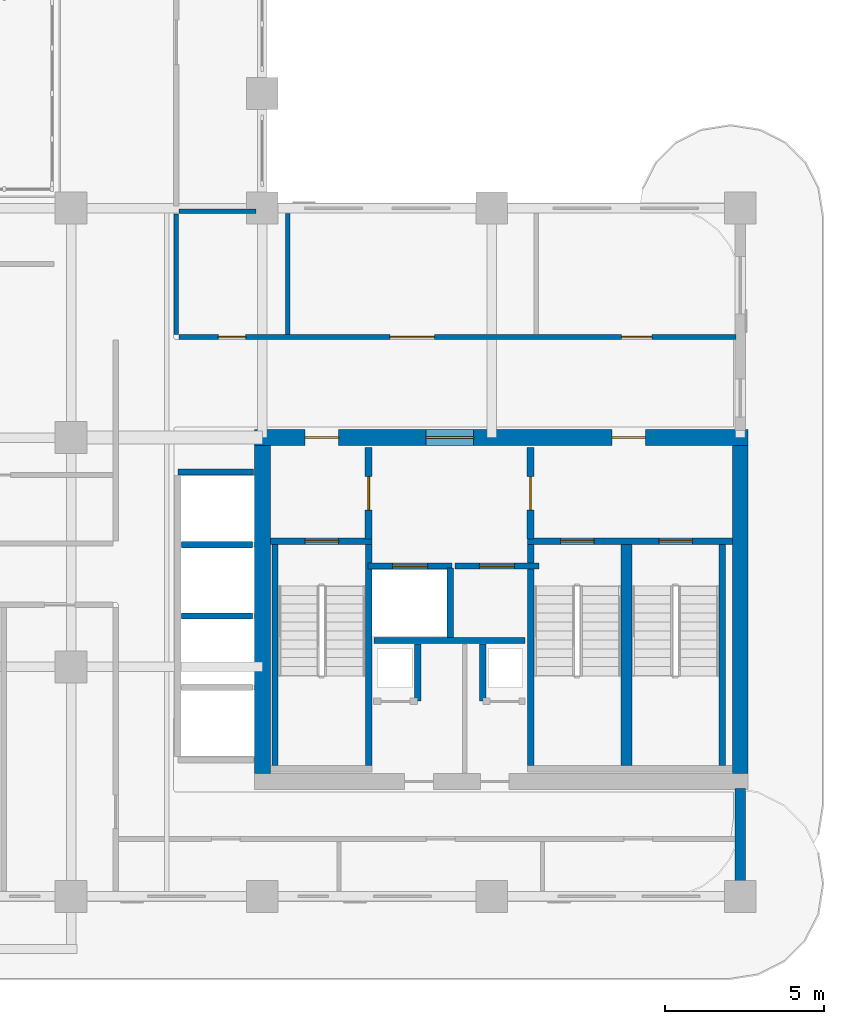
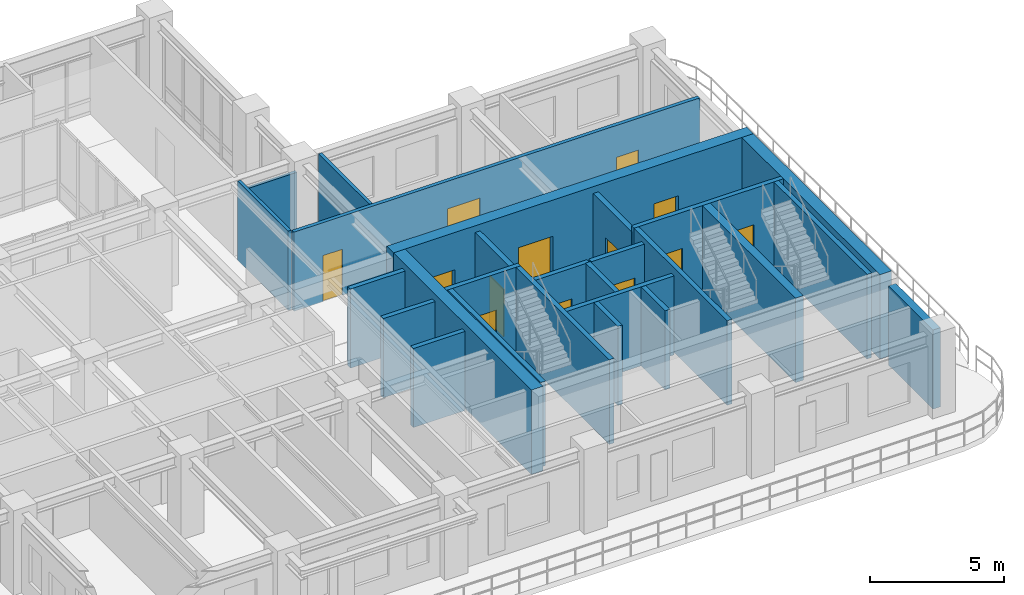
# One storey, part 13 of 20: 26 walls, 13 doors, 13 openings.
"""IFC4 building model written with IfcOpenShell, lengths in metres."""

from ifc_helpers import new_model, si_unit, derived_unit, direction, frame, frame_2d, origin, place, context, subcontext, project, spatial, rectangle, extrude, source, transform, mapped, material, layer, layer_set, type_object, type_shapes, element, fill, save


model = new_model("IFC4")

# Units and contexts
model_context = context("Model", 3, precision=1e-05, world=origin(), true_north=direction((0.0, 1.0)))
body_context = subcontext(model_context, "Body", "Model", "MODEL_VIEW")
ifc_project = project(units=[si_unit("LENGTHUNIT", "METRE"), si_unit("AREAUNIT", "SQUARE_METRE"), si_unit("VOLUMEUNIT", "CUBIC_METRE"), si_unit("PLANEANGLEUNIT", "RADIAN"), si_unit("MASSUNIT", "GRAM", prefix="KILO"), si_unit("THERMODYNAMICTEMPERATUREUNIT", "KELVIN"), si_unit("POWERUNIT", "WATT"), derived_unit("THERMALTRANSMITTANCEUNIT", [(si_unit("POWERUNIT", "WATT"), 1), (si_unit("AREAUNIT", "SQUARE_METRE"), -1), (si_unit("THERMODYNAMICTEMPERATUREUNIT", "KELVIN"), -1)])], contexts=[model_context])

# Site, building, storey
site_placement = place(None, origin())
site = spatial("IfcSite", under=ifc_project, at=site_placement, CompositionType="ELEMENT")
building_placement = place(site_placement, origin())
building = spatial("IfcBuilding", under=site, at=building_placement, Name="Zahravan Archway Hotel and Residences", CompositionType="ELEMENT")
storey_placement = place(building_placement, frame((0.0, 0.0, 161.85009765625)))
storey = spatial("IfcBuildingStorey", under=building, at=storey_placement, Name="L40", CompositionType="ELEMENT", Elevation=161.85009765625)

# Wall, openings, doors
ifc_material_1 = material(Name="Concrete C60/75", Category="concrete")
ifc_layer_1 = layer(ifc_material_1, 0.5, Name="Concrete C60/75", Category="concrete")
ifc_layer_set_1 = layer_set([ifc_layer_1], Name="Concrete C60/75")
wall_type_1 = type_object("IfcWallType", Name="CW-CORE-500", PredefinedType="SHEAR", material=ifc_layer_set_1)
wall_1_placement = place(storey_placement, frame((34.550048828125, 14.39990234375, 0.0), z_axis=(0.0, 0.0, 1.0), x_axis=(1.0, 0.0, 0.0)))
wall_1 = element("IfcWall", 1, at=wall_1_placement, inside=storey, type_object=wall_type_1, Name="L40 Core A Shear N Wall 500 mm", PredefinedType="SHEAR", context=body_context, shape_type="SweptSolid", body=[
    extrude(rectangle(XDim=15.5, YDim=0.5, at=frame_2d((7.75, 0.0))), origin(), (0.0, 0.0, 1.0), 3.849853515625),
])
opening_1_placement = place(wall_1_placement, frame((5.3798828125, 0.0, 0.0)))
opening_1 = element("IfcOpeningElement", 2, at=opening_1_placement, cuts=wall_1, Name="Opening FD-L1", PredefinedType="OPENING", context=body_context, shape_type="SweptSolid", body=[
    extrude(rectangle(XDim=1.5, YDim=2.199951171875, at=frame_2d((0.75, 1.10009765625))), frame((0.0, 0.260009765625, 0.0), z_axis=(0.0, -1.0, 0.0), x_axis=(1.0, 0.0, 0.0)), (0.0, 0.0, 1.0), 0.52001953125),
])
opening_2_placement = place(wall_1_placement, frame((1.594970703125, 0.0, 0.0)))
opening_2 = element("IfcOpeningElement", 3, at=opening_2_placement, cuts=wall_1, Name="Opening FD-L2", PredefinedType="OPENING", context=body_context, shape_type="SweptSolid", body=[
    extrude(rectangle(XDim=1.050048828125, YDim=2.14990234375, at=frame_2d((0.52490234375, 1.074951171875))), frame((0.0, 0.260009765625, 0.0), z_axis=(0.0, -1.0, 0.0), x_axis=(1.0, 0.0, 0.0)), (0.0, 0.0, 1.0), 0.52001953125),
])
opening_3_placement = place(wall_1_placement, frame((11.22509765625, 0.0, 0.0)))
opening_3 = element("IfcOpeningElement", 4, at=opening_3_placement, cuts=wall_1, Name="Opening FD-L2", PredefinedType="OPENING", context=body_context, shape_type="SweptSolid", body=[
    extrude(rectangle(XDim=1.050048828125, YDim=2.14990234375, at=frame_2d((0.52490234375, 1.074951171875))), frame((0.0, 0.260009765625, 0.0), z_axis=(0.0, -1.0, 0.0), x_axis=(1.0, 0.0, 0.0)), (0.0, 0.0, 1.0), 0.52001953125),
])
ifc_material_2 = material(Name="Fire-Rated Painted Steel", Category="steel")
door_type_1 = type_object("IfcDoorType", Name="FD-LOBBY-1100", OperationType="NOTDEFINED", PredefinedType="DOOR", material=ifc_material_2)
shared_shape_1 = source(origin(), body_context, "Body", "SweptSolid", [
    extrude(rectangle(XDim=1.050048828125, YDim=2.14990234375, at=frame_2d((0.52490234375, 1.074951171875))), frame((0.0, 0.02490234375, 0.0), z_axis=(0.0, -1.0, 0.0), x_axis=(1.0, 0.0, 0.0)), (0.0, 0.0, 1.0), 0.050048828125),
])
type_shapes(door_type_1, [shared_shape_1])
door_1_placement = place(opening_2_placement, origin())
door_1 = element("IfcDoor", 5, at=door_1_placement, inside=storey, type_object=door_type_1, Name="L40 Core A West Stair Lobby Door", OperationType="SINGLE_SWING_LEFT", OverallHeight=2.14990234375, OverallWidth=1.050048828125, PredefinedType="DOOR", context=body_context, shape_type="MappedRepresentation", body=[
    mapped(shared_shape_1, transform((0.0, 0.0, 0.0), scale=1.0)),
])
fill(opening_2, door_1)
door_2_placement = place(opening_3_placement, origin())
door_2 = element("IfcDoor", 6, at=door_2_placement, inside=storey, type_object=door_type_1, Name="L40 Core A East Stair Lobby Door", OperationType="SINGLE_SWING_RIGHT", OverallHeight=2.14990234375, OverallWidth=1.050048828125, PredefinedType="DOOR", context=body_context, shape_type="MappedRepresentation", body=[
    mapped(shared_shape_1, transform((0.0, 0.0, 0.0), scale=1.0)),
])
fill(opening_3, door_2)
door_type_2 = type_object("IfcDoorType", Name="FD-LOBBY-1500", OperationType="DOUBLE_DOOR_SINGLE_SWING", PredefinedType="DOOR", material=ifc_material_2)
shared_shape_2 = source(origin(), body_context, "Body", "SweptSolid", [
    extrude(rectangle(XDim=1.5, YDim=2.199951171875, at=frame_2d((0.75, 1.10009765625))), frame((0.0, 0.02490234375, 0.0), z_axis=(0.0, -1.0, 0.0), x_axis=(1.0, 0.0, 0.0)), (0.0, 0.0, 1.0), 0.050048828125),
])
type_shapes(door_type_2, [shared_shape_2])
door_3_placement = place(opening_1_placement, origin())
door_3 = element("IfcDoor", 7, at=door_3_placement, inside=storey, type_object=door_type_2, Name="L40 Core A FSAE Lobby Main Door", OperationType="DOUBLE_DOOR_SINGLE_SWING", OverallHeight=2.199951171875, OverallWidth=1.5, PredefinedType="DOOR", context=body_context, shape_type="MappedRepresentation", body=[
    mapped(shared_shape_2, transform((0.0, 0.0, 0.0), scale=1.0)),
])
fill(opening_1, door_3)

# Walls
for number, where, z_axis, x_axis, name in (
    (8, (34.800048828125, 3.85009765625, 0.0), (0.0, 0.0, 1.0), (0.0, 1.0, 0.0), "L40 Core A Shear W Wall 500 mm"),
    (9, (49.800048828125, 3.85009765625, 0.0), (0.0, 0.0, 1.0), (0.0, 1.0, 0.0), "L40 Core A Shear E Wall 500 mm"),
):
    element("IfcWall", number, at=place(storey_placement, frame(where, z_axis=z_axis, x_axis=x_axis)), inside=storey, type_object=wall_type_1, Name=name, PredefinedType="SHEAR", context=body_context, shape_type="SweptSolid", body=[
        extrude(rectangle(XDim=10.2998046875, YDim=0.5, at=frame_2d((5.14990234375, 0.0))), origin(), (0.0, 0.0, 1.0), 3.849853515625),
    ])
ifc_material_3 = material(Name="Agra Buff Sandstone & Insulated Backup", Category="masonry")
ifc_layer_2 = layer(ifc_material_3, 0.320068359375, Name="Agra Buff Sandstone & Insulated Backup", Category="masonry")
ifc_layer_set_2 = layer_set([ifc_layer_2], Name="Agra Buff Sandstone & Insulated Backup")
wall_type_2 = type_object("IfcWallType", Name="EW-SAND-320", PredefinedType="SOLIDWALL", material=ifc_layer_set_2)
wall_2_placement = place(storey_placement, frame((49.800048828125, 0.050048828125, 0.0), z_axis=(0.0, 0.0, 1.0), x_axis=(0.0, 1.0, 0.0)))
element("IfcWall", 10, at=wall_2_placement, inside=storey, type_object=wall_type_2, Name="L40 Exterior Sandstone Wall WA-ES", PredefinedType="SOLIDWALL", context=body_context, shape_type="SweptSolid", body=[
    extrude(rectangle(XDim=3.329833984375, YDim=0.320068359375, at=frame_2d((1.6650390625, 0.0))), origin(), (0.0, 0.0, 1.0), 3.599853515625),
])

# Wall, opening, door
ifc_material_4 = material(Name="Fire-Rated Gypsum & Concrete Block", Category="concrete")
ifc_layer_3 = layer(ifc_material_4, 0.219970703125, Name="Fire-Rated Gypsum & Concrete Block", Category="concrete")
ifc_layer_set_3 = layer_set([ifc_layer_3], Name="Fire-Rated Gypsum & Concrete Block")
wall_type_3 = type_object("IfcWallType", Name="PW-COMP-220", PredefinedType="PARTITIONING", material=ifc_layer_set_3)
wall_3_placement = place(storey_placement, frame((38.139892578125, 11.219970703125, 0.0), z_axis=(0.0, 0.0, 1.0), x_axis=(0.0, 1.0, 0.0)))
wall_3 = element("IfcWall", 11, at=wall_3_placement, inside=storey, type_object=wall_type_3, Name="L40 Partition CA-LOBW", PredefinedType="PARTITIONING", context=body_context, shape_type="SweptSolid", body=[
    extrude(rectangle(XDim=2.860107421875, YDim=0.219970703125, at=frame_2d((1.43017578125, 0.0))), origin(), (0.0, 0.0, 1.0), 3.599853515625),
])
opening_4_placement = place(wall_3_placement, frame((0.905029296875, 0.0, 0.0)))
opening_4 = element("IfcOpeningElement", 12, at=opening_4_placement, cuts=wall_3, Name="Opening FD-L2", PredefinedType="OPENING", context=body_context, shape_type="SweptSolid", body=[
    extrude(rectangle(XDim=1.050048828125, YDim=2.14990234375, at=frame_2d((0.52490234375, 1.074951171875))), frame((0.0, 0.1201171875, 0.0), z_axis=(0.0, -1.0, 0.0), x_axis=(1.0, 0.0, 0.0)), (0.0, 0.0, 1.0), 0.239990234375),
])
door_4_placement = place(opening_4_placement, origin())
door_4 = element("IfcDoor", 13, at=door_4_placement, inside=storey, type_object=door_type_1, Name="L40 Core A West Stair to FSAE Lobby Door", OperationType="SINGLE_SWING_LEFT", OverallHeight=2.14990234375, OverallWidth=1.050048828125, PredefinedType="DOOR", context=body_context, shape_type="MappedRepresentation", body=[
    mapped(shared_shape_1, transform((0.0, 0.0, 0.0), scale=1.0)),
])
fill(opening_4, door_4)

wall_4_placement = place(storey_placement, frame((43.219970703125, 11.219970703125, 0.0), z_axis=(0.0, 0.0, 1.0), x_axis=(0.0, 1.0, 0.0)))
wall_4 = element("IfcWall", 14, at=wall_4_placement, inside=storey, type_object=wall_type_3, Name="L40 Partition CA-LOBE", PredefinedType="PARTITIONING", context=body_context, shape_type="SweptSolid", body=[
    extrude(rectangle(XDim=2.860107421875, YDim=0.219970703125, at=frame_2d((1.43017578125, 0.0))), origin(), (0.0, 0.0, 1.0), 3.599853515625),
])
opening_5_placement = place(wall_4_placement, frame((0.905029296875, 0.0, 0.0)))
opening_5 = element("IfcOpeningElement", 15, at=opening_5_placement, cuts=wall_4, Name="Opening FD-L2", PredefinedType="OPENING", context=body_context, shape_type="SweptSolid", body=[
    extrude(rectangle(XDim=1.050048828125, YDim=2.14990234375, at=frame_2d((0.52490234375, 1.074951171875))), frame((0.0, 0.1201171875, 0.0), z_axis=(0.0, -1.0, 0.0), x_axis=(1.0, 0.0, 0.0)), (0.0, 0.0, 1.0), 0.239990234375),
])
door_5_placement = place(opening_5_placement, origin())
door_5 = element("IfcDoor", 16, at=door_5_placement, inside=storey, type_object=door_type_1, Name="L40 Core A East Stair to FSAE Lobby Door", OperationType="SINGLE_SWING_RIGHT", OverallHeight=2.14990234375, OverallWidth=1.050048828125, PredefinedType="DOOR", context=body_context, shape_type="MappedRepresentation", body=[
    mapped(shared_shape_1, transform((0.0, 0.0, 0.0), scale=1.0)),
])
fill(opening_5, door_5)

# Wall, openings, doors
ifc_layer_4 = layer(ifc_material_4, 0.159912109375, Name="Fire-Rated Gypsum & Concrete Block", Category="concrete")
ifc_layer_set_4 = layer_set([ifc_layer_4], Name="Fire-Rated Gypsum & Concrete Block")
wall_type_4 = type_object("IfcWallType", Name="PW-CORR-160", PredefinedType="PARTITIONING", material=ifc_layer_set_4)
wall_5_placement = place(storey_placement, frame((32.18994140625, 17.550048828125, 0.0), z_axis=(0.0, 0.0, 1.0), x_axis=(1.0, 0.0, 0.0)))
wall_5 = element("IfcWall", 17, at=wall_5_placement, inside=storey, type_object=wall_type_4, Name="L40 Partition WA-FN", PredefinedType="PARTITIONING", context=body_context, shape_type="SweptSolid", body=[
    extrude(rectangle(XDim=17.469970703125, YDim=0.159912109375, at=frame_2d((8.73486328125, 0.0))), origin(), (0.0, 0.0, 1.0), 3.599853515625),
])
opening_6_placement = place(wall_5_placement, frame((1.235107421875, 0.0, 0.0)))
opening_6 = element("IfcOpeningElement", 18, at=opening_6_placement, cuts=wall_5, Name="Opening D-B1", PredefinedType="OPENING", context=body_context, shape_type="SweptSolid", body=[
    extrude(rectangle(XDim=0.85009765625, YDim=2.10009765625, at=frame_2d((0.425048828125, 1.050048828125))), frame((0.0, 0.08984375, 0.0), z_axis=(0.0, -1.0, 0.0), x_axis=(1.0, 0.0, 0.0)), (0.0, 0.0, 1.0), 0.179931640625),
])
opening_7_placement = place(wall_5_placement, frame((6.610107421875, 0.0, 0.0)))
opening_7 = element("IfcOpeningElement", 19, at=opening_7_placement, cuts=wall_5, Name="Opening D-P1", PredefinedType="OPENING", context=body_context, shape_type="SweptSolid", body=[
    extrude(rectangle(XDim=1.39990234375, YDim=2.35009765625, at=frame_2d((0.699951171875, 1.175048828125))), frame((0.0, 0.08984375, 0.0), z_axis=(0.0, -1.0, 0.0), x_axis=(1.0, 0.0, 0.0)), (0.0, 0.0, 1.0), 0.179931640625),
])
opening_8_placement = place(wall_5_placement, frame((13.885009765625, 0.0, 0.0)))
opening_8 = element("IfcOpeningElement", 20, at=opening_8_placement, cuts=wall_5, Name="Opening D-I1", PredefinedType="OPENING", context=body_context, shape_type="SweptSolid", body=[
    extrude(rectangle(XDim=0.949951171875, YDim=2.14990234375, at=frame_2d((0.47509765625, 1.074951171875))), frame((0.0, 0.08984375, 0.0), z_axis=(0.0, -1.0, 0.0), x_axis=(1.0, 0.0, 0.0)), (0.0, 0.0, 1.0), 0.179931640625),
])
ifc_material_5 = material(Name="Hardwood Veneer Timber", Category="wood")
door_type_3 = type_object("IfcDoorType", Name="ID-BATH-850", OperationType="NOTDEFINED", PredefinedType="DOOR", material=ifc_material_5)
shared_shape_3 = source(origin(), body_context, "Body", "SweptSolid", [
    extrude(rectangle(XDim=0.85009765625, YDim=2.10009765625, at=frame_2d((0.425048828125, 1.050048828125))), frame((0.0, 0.02490234375, 0.0), z_axis=(0.0, -1.0, 0.0), x_axis=(1.0, 0.0, 0.0)), (0.0, 0.0, 1.0), 0.050048828125),
])
type_shapes(door_type_3, [shared_shape_3])
door_6_placement = place(opening_6_placement, origin())
door_6 = element("IfcDoor", 21, at=door_6_placement, inside=storey, type_object=door_type_3, Name="L40 Accessible WC Door", OperationType="SINGLE_SWING_RIGHT", OverallHeight=2.10009765625, OverallWidth=0.85009765625, PredefinedType="DOOR", context=body_context, shape_type="MappedRepresentation", body=[
    mapped(shared_shape_3, transform((0.0, 0.0, 0.0), scale=1.0)),
])
fill(opening_6, door_6)
ifc_material_6 = material(Name="Bronze-Anodized Glazed Aluminium", Category="aluminium")
door_type_4 = type_object("IfcDoorType", Name="ID-PUBLIC-1400", OperationType="DOUBLE_DOOR_SINGLE_SWING", PredefinedType="DOOR", material=ifc_material_6)
shared_shape_4 = source(origin(), body_context, "Body", "SweptSolid", [
    extrude(rectangle(XDim=1.39990234375, YDim=2.35009765625, at=frame_2d((0.699951171875, 1.175048828125))), frame((0.0, 0.02490234375, 0.0), z_axis=(0.0, -1.0, 0.0), x_axis=(1.0, 0.0, 0.0)), (0.0, 0.0, 1.0), 0.050048828125),
])
type_shapes(door_type_4, [shared_shape_4])
door_7_placement = place(opening_7_placement, origin())
door_7 = element("IfcDoor", 22, at=door_7_placement, inside=storey, type_object=door_type_4, Name="L40 Private Dining Door", OperationType="DOUBLE_DOOR_SINGLE_SWING", OverallHeight=2.35009765625, OverallWidth=1.39990234375, PredefinedType="DOOR", context=body_context, shape_type="MappedRepresentation", body=[
    mapped(shared_shape_4, transform((0.0, 0.0, 0.0), scale=1.0)),
])
fill(opening_7, door_7)
door_type_5 = type_object("IfcDoorType", Name="ID-INT-950", OperationType="NOTDEFINED", PredefinedType="DOOR", material=ifc_material_5)
shared_shape_5 = source(origin(), body_context, "Body", "SweptSolid", [
    extrude(rectangle(XDim=0.949951171875, YDim=2.14990234375, at=frame_2d((0.47509765625, 1.074951171875))), frame((0.0, 0.02490234375, 0.0), z_axis=(0.0, -1.0, 0.0), x_axis=(1.0, 0.0, 0.0)), (0.0, 0.0, 1.0), 0.050048828125),
])
type_shapes(door_type_5, [shared_shape_5])
door_8_placement = place(opening_8_placement, origin())
door_8 = element("IfcDoor", 23, at=door_8_placement, inside=storey, type_object=door_type_5, Name="L40 Quiet Musalla Door", OperationType="SINGLE_SWING_LEFT", OverallHeight=2.14990234375, OverallWidth=0.949951171875, PredefinedType="DOOR", context=body_context, shape_type="MappedRepresentation", body=[
    mapped(shared_shape_5, transform((0.0, 0.0, 0.0), scale=1.0)),
])
fill(opening_8, door_8)

# Walls
ifc_layer_5 = layer(ifc_material_4, 0.199951171875, Name="Fire-Rated Gypsum & Concrete Block", Category="concrete")
ifc_layer_set_5 = layer_set([ifc_layer_5], Name="Fire-Rated Gypsum & Concrete Block")
wall_type_5 = type_object("IfcWallType", Name="PW-SHAFT-200", PredefinedType="PARTITIONING", material=ifc_layer_set_5)
wall_6_placement = place(storey_placement, frame((38.300048828125, 8.030029296875, 0.0), z_axis=(0.0, 0.0, 1.0), x_axis=(1.0, 0.0, 0.0)))
element("IfcWall", 24, at=wall_6_placement, inside=storey, type_object=wall_type_5, Name="L40 Partition CA-FLS", PredefinedType="PARTITIONING", context=body_context, shape_type="SweptSolid", body=[
    extrude(rectangle(XDim=4.739990234375, YDim=0.199951171875, at=frame_2d((2.3701171875, 0.0))), origin(), (0.0, 0.0, 1.0), 3.599853515625),
])
wall_7_placement = place(storey_placement, frame((40.699951171875, 8.1201171875, 0.0), z_axis=(0.0, 0.0, 1.0), x_axis=(0.0, 1.0, 0.0)))
element("IfcWall", 25, at=wall_7_placement, inside=storey, type_object=wall_type_5, Name="L40 Partition CA-FLM", PredefinedType="PARTITIONING", context=body_context, shape_type="SweptSolid", body=[
    extrude(rectangle(XDim=2.179931640625, YDim=0.199951171875, at=frame_2d((1.08984375, 0.0))), origin(), (0.0, 0.0, 1.0), 3.599853515625),
])
for number, where, z_axis, x_axis, name in (
    (26, (39.679931640625, 6.1298828125, 0.0), (0.0, 0.0, 1.0), (0.0, 1.0, 0.0), "L40 Partition CA-SMKE"),
    (27, (41.719970703125, 6.1298828125, 0.0), (0.0, 0.0, 1.0), (0.0, 1.0, 0.0), "L40 Partition CA-MEPW"),
):
    element("IfcWall", number, at=place(storey_placement, frame(where, z_axis=z_axis, x_axis=x_axis)), inside=storey, type_object=wall_type_5, Name=name, PredefinedType="PARTITIONING", context=body_context, shape_type="SweptSolid", body=[
        extrude(rectangle(XDim=1.7900390625, YDim=0.199951171875, at=frame_2d((0.89501953125, 0.0))), origin(), (0.0, 0.0, 1.0), 3.599853515625),
    ])
wall_8_placement = place(storey_placement, frame((32.159912109375, 13.320068359375, 0.0), z_axis=(0.0, 0.0, 1.0), x_axis=(1.0, 0.0, 0.0)))
element("IfcWall", 28, at=wall_8_placement, inside=storey, type_object=wall_type_5, Name="L40 Partition B3-N", PredefinedType="PARTITIONING", context=body_context, shape_type="SweptSolid", body=[
    extrude(rectangle(XDim=2.360107421875, YDim=0.199951171875, at=frame_2d((1.18017578125, 0.0))), origin(), (0.0, 0.0, 1.0), 3.599853515625),
])
for number, where, z_axis, x_axis, name in (
    (29, (32.260009765625, 8.800048828125, 0.0), (0.0, 0.0, 1.0), (1.0, 0.0, 0.0), "L40 Partition B3-D"),
    (30, (32.260009765625, 11.0400390625, 0.0), (0.0, 0.0, 1.0), (1.0, 0.0, 0.0), "L40 Partition B3-D"),
):
    element("IfcWall", number, at=place(storey_placement, frame(where, z_axis=z_axis, x_axis=x_axis)), inside=storey, type_object=wall_type_5, Name=name, PredefinedType="PARTITIONING", context=body_context, shape_type="SweptSolid", body=[
        extrude(rectangle(XDim=2.22998046875, YDim=0.199951171875, at=frame_2d((1.114990234375, 0.0))), origin(), (0.0, 0.0, 1.0), 3.599853515625),
    ])

# Wall, opening, door
wall_9_placement = place(storey_placement, frame((38.1201171875, 10.3701171875, 0.0), z_axis=(0.0, 0.0, 1.0), x_axis=(1.0, 0.0, 0.0)))
wall_9 = element("IfcWall", 31, at=wall_9_placement, inside=storey, type_object=wall_type_5, Name="L40 Lift FL-1 Front Wall", PredefinedType="PARTITIONING", context=body_context, shape_type="SweptSolid", body=[
    extrude(rectangle(XDim=2.639892578125, YDim=0.199951171875, at=frame_2d((1.31982421875, 0.0))), origin(), (0.0, 0.0, 1.0), 3.599853515625),
])
opening_9_placement = place(wall_9_placement, frame((0.77001953125, 0.0, 0.0)))
opening_9 = element("IfcOpeningElement", 32, at=opening_9_placement, cuts=wall_9, Name="Opening LD", PredefinedType="OPENING", context=body_context, shape_type="SweptSolid", body=[
    extrude(rectangle(XDim=1.10009765625, YDim=2.199951171875, at=frame_2d((0.550048828125, 1.10009765625))), frame((0.0, 0.10986328125, 0.0), z_axis=(0.0, -1.0, 0.0), x_axis=(1.0, 0.0, 0.0)), (0.0, 0.0, 1.0), 0.219970703125),
])
ifc_material_7 = material(Name="Brushed Stainless Steel", Category="steel")
door_type_6 = type_object("IfcDoorType", Name="DR-LIFT-LD", OperationType="SLIDING_TO_LEFT", PredefinedType="DOOR", material=ifc_material_7)
shared_shape_6 = source(origin(), body_context, "Body", "SweptSolid", [
    extrude(rectangle(XDim=1.10009765625, YDim=2.199951171875, at=frame_2d((0.550048828125, 1.10009765625))), frame((0.0, 0.02490234375, 0.0), z_axis=(0.0, -1.0, 0.0), x_axis=(1.0, 0.0, 0.0)), (0.0, 0.0, 1.0), 0.050048828125),
])
type_shapes(door_type_6, [shared_shape_6])
door_9_placement = place(opening_9_placement, origin())
door_9 = element("IfcDoor", 33, at=door_9_placement, inside=storey, type_object=door_type_6, Name="L40 Lift FL-1 Sliding Landing Door", OperationType="SLIDING_TO_LEFT", OverallHeight=2.199951171875, OverallWidth=1.10009765625, PredefinedType="DOOR", context=body_context, shape_type="MappedRepresentation", body=[
    mapped(shared_shape_6, transform((0.0, 0.0, 0.0), scale=1.0)),
])
fill(opening_9, door_9)

wall_10_placement = place(storey_placement, frame((40.840087890625, 10.3701171875, 0.0), z_axis=(0.0, 0.0, 1.0), x_axis=(1.0, 0.0, 0.0)))
wall_10 = element("IfcWall", 34, at=wall_10_placement, inside=storey, type_object=wall_type_5, Name="L40 Lift FL-2 Front Wall", PredefinedType="PARTITIONING", context=body_context, shape_type="SweptSolid", body=[
    extrude(rectangle(XDim=2.639892578125, YDim=0.199951171875, at=frame_2d((1.31982421875, 0.0))), origin(), (0.0, 0.0, 1.0), 3.599853515625),
])
opening_10_placement = place(wall_10_placement, frame((0.77001953125, 0.0, 0.0)))
opening_10 = element("IfcOpeningElement", 35, at=opening_10_placement, cuts=wall_10, Name="Opening LD", PredefinedType="OPENING", context=body_context, shape_type="SweptSolid", body=[
    extrude(rectangle(XDim=1.10009765625, YDim=2.199951171875, at=frame_2d((0.550048828125, 1.10009765625))), frame((0.0, 0.10986328125, 0.0), z_axis=(0.0, -1.0, 0.0), x_axis=(1.0, 0.0, 0.0)), (0.0, 0.0, 1.0), 0.219970703125),
])
door_10_placement = place(opening_10_placement, origin())
door_10 = element("IfcDoor", 36, at=door_10_placement, inside=storey, type_object=door_type_6, Name="L40 Lift FL-2 Sliding Landing Door", OperationType="SLIDING_TO_LEFT", OverallHeight=2.199951171875, OverallWidth=1.10009765625, PredefinedType="DOOR", context=body_context, shape_type="MappedRepresentation", body=[
    mapped(shared_shape_6, transform((0.0, 0.0, 0.0), scale=1.0)),
])
fill(opening_10, door_10)

# Walls
ifc_material_8 = material(Name="Moisture-Resistant Blockwork", Category="masonry")
ifc_layer_6 = layer(ifc_material_8, 0.139892578125, Name="Moisture-Resistant Blockwork", Category="masonry")
ifc_layer_set_6 = layer_set([ifc_layer_6], Name="Moisture-Resistant Blockwork")
wall_type_6 = type_object("IfcWallType", Name="PW-WET-140", PredefinedType="PARTITIONING", material=ifc_layer_set_6)
wall_11_placement = place(storey_placement, frame((32.10009765625, 17.639892578125, 0.0), z_axis=(0.0, 0.0, 1.0), x_axis=(0.0, 1.0, 0.0)))
element("IfcWall", 37, at=wall_11_placement, inside=storey, type_object=wall_type_6, Name="L40 Partition NE-W0", PredefinedType="PARTITIONING", context=body_context, shape_type="SweptSolid", body=[
    extrude(rectangle(XDim=3.77001953125, YDim=0.139892578125, at=frame_2d((1.885009765625, 0.0))), origin(), (0.0, 0.0, 1.0), 3.599853515625),
])
wall_12_placement = place(storey_placement, frame((35.60009765625, 17.639892578125, 0.0), z_axis=(0.0, 0.0, 1.0), x_axis=(0.0, 1.0, 0.0)))
element("IfcWall", 38, at=wall_12_placement, inside=storey, type_object=wall_type_6, Name="L40 Partition NE3-1", PredefinedType="PARTITIONING", context=body_context, shape_type="SweptSolid", body=[
    extrude(rectangle(XDim=3.7919921875, YDim=0.139892578125, at=frame_2d((1.89599609375, 0.0))), origin(), (0.0, 0.0, 1.0), 3.599853515625),
])
wall_13_placement = place(storey_placement, frame((32.18994140625, 21.5, 0.0), z_axis=(0.0, 0.0, 1.0), x_axis=(1.0, 0.0, 0.0)))
element("IfcWall", 39, at=wall_13_placement, inside=storey, type_object=wall_type_6, Name="L40 Partition ATR-ES", PredefinedType="PARTITIONING", context=body_context, shape_type="SweptSolid", body=[
    extrude(rectangle(XDim=2.420166015625, YDim=0.139892578125, at=frame_2d((1.2099609375, 0.0))), origin(), (0.0, 0.0, 1.0), 3.0849609375),
])
ifc_material_9 = material(Name="Concrete C50/60", Category="concrete")
ifc_layer_7 = layer(ifc_material_9, 0.199951171875, Name="Concrete C50/60", Category="concrete")
ifc_layer_set_7 = layer_set([ifc_layer_7], Name="Concrete C50/60")
wall_type_7 = type_object("IfcWallType", Name="SW-STAIR-200", PredefinedType="SHEAR", material=ifc_layer_set_7)
for number, where, z_axis, x_axis, name in (
    (40, (35.199951171875, 4.10009765625, 0.0), (0.0, 0.0, 1.0), (0.0, 1.0, 0.0), "L40 Stairwell RC Wall CA-SA1W"),
    (41, (38.139892578125, 4.10009765625, 0.0), (0.0, 0.0, 1.0), (0.0, 1.0, 0.0), "L40 Stairwell RC Wall CA-SA1E"),
):
    element("IfcWall", number, at=place(storey_placement, frame(where, z_axis=z_axis, x_axis=x_axis)), inside=storey, type_object=wall_type_7, Name=name, PredefinedType="SHEAR", context=body_context, shape_type="SweptSolid", body=[
        extrude(rectangle(XDim=6.949951171875, YDim=0.199951171875, at=frame_2d((3.47509765625, 0.0))), origin(), (0.0, 0.0, 1.0), 3.849853515625),
    ])

# Wall, opening, door
wall_14_placement = place(storey_placement, frame((35.050048828125, 11.14990234375, 0.0), z_axis=(0.0, 0.0, 1.0), x_axis=(1.0, 0.0, 0.0)))
wall_14 = element("IfcWall", 42, at=wall_14_placement, inside=storey, type_object=wall_type_7, Name="L40 Stairwell RC Wall CA-SA1N", PredefinedType="SHEAR", context=body_context, shape_type="SweptSolid", body=[
    extrude(rectangle(XDim=3.18994140625, YDim=0.199951171875, at=frame_2d((1.594970703125, 0.0))), origin(), (0.0, 0.0, 1.0), 3.849853515625),
])
opening_11_placement = place(wall_14_placement, frame((1.094970703125, 0.0, 0.0)))
opening_11 = element("IfcOpeningElement", 43, at=opening_11_placement, cuts=wall_14, Name="Opening FD-S1", PredefinedType="OPENING", context=body_context, shape_type="SweptSolid", body=[
    extrude(rectangle(XDim=1.050048828125, YDim=2.199951171875, at=frame_2d((0.52490234375, 1.10009765625))), frame((0.0, 0.10986328125, 0.0), z_axis=(0.0, -1.0, 0.0), x_axis=(1.0, 0.0, 0.0)), (0.0, 0.0, 1.0), 0.219970703125),
])
door_type_7 = type_object("IfcDoorType", Name="FD-STAIR-1100", OperationType="NOTDEFINED", PredefinedType="DOOR", material=ifc_material_2)
shared_shape_7 = source(origin(), body_context, "Body", "SweptSolid", [
    extrude(rectangle(XDim=1.050048828125, YDim=2.199951171875, at=frame_2d((0.52490234375, 1.10009765625))), frame((0.0, 0.02490234375, 0.0), z_axis=(0.0, -1.0, 0.0), x_axis=(1.0, 0.0, 0.0)), (0.0, 0.0, 1.0), 0.050048828125),
])
type_shapes(door_type_7, [shared_shape_7])
door_11_placement = place(opening_11_placement, origin())
door_11 = element("IfcDoor", 44, at=door_11_placement, inside=storey, type_object=door_type_7, Name="L40 Stair ST-A1 Door", OperationType="SINGLE_SWING_RIGHT", OverallHeight=2.199951171875, OverallWidth=1.050048828125, PredefinedType="DOOR", context=body_context, shape_type="MappedRepresentation", body=[
    mapped(shared_shape_7, transform((0.0, 0.0, 0.0), scale=1.0)),
])
fill(opening_11, door_11)

# Walls
for number, where, z_axis, x_axis, name in (
    (45, (43.219970703125, 4.10009765625, 0.0), (0.0, 0.0, 1.0), (0.0, 1.0, 0.0), "L40 Stairwell RC Wall CA-SA2W"),
    (46, (49.239990234375, 4.10009765625, 0.0), (0.0, 0.0, 1.0), (0.0, 1.0, 0.0), "L40 Stairwell RC Wall CA-SA3E"),
):
    element("IfcWall", number, at=place(storey_placement, frame(where, z_axis=z_axis, x_axis=x_axis)), inside=storey, type_object=wall_type_7, Name=name, PredefinedType="SHEAR", context=body_context, shape_type="SweptSolid", body=[
        extrude(rectangle(XDim=6.949951171875, YDim=0.199951171875, at=frame_2d((3.47509765625, 0.0))), origin(), (0.0, 0.0, 1.0), 3.849853515625),
    ])

# Wall, openings, doors
wall_15_placement = place(storey_placement, frame((43.1201171875, 11.14990234375, 0.0), z_axis=(0.0, 0.0, 1.0), x_axis=(1.0, 0.0, 0.0)))
wall_15 = element("IfcWall", 47, at=wall_15_placement, inside=storey, type_object=wall_type_7, Name="L40 Stairwell RC Wall CA-SA23N", PredefinedType="SHEAR", context=body_context, shape_type="SweptSolid", body=[
    extrude(rectangle(XDim=6.429931640625, YDim=0.199951171875, at=frame_2d((3.21484375, 0.0))), origin(), (0.0, 0.0, 1.0), 3.849853515625),
])
opening_12_placement = place(wall_15_placement, frame((1.044921875, 0.0, 0.0)))
opening_12 = element("IfcOpeningElement", 48, at=opening_12_placement, cuts=wall_15, Name="Opening FD-S1", PredefinedType="OPENING", context=body_context, shape_type="SweptSolid", body=[
    extrude(rectangle(XDim=1.050048828125, YDim=2.199951171875, at=frame_2d((0.52490234375, 1.10009765625))), frame((0.0, 0.10986328125, 0.0), z_axis=(0.0, -1.0, 0.0), x_axis=(1.0, 0.0, 0.0)), (0.0, 0.0, 1.0), 0.219970703125),
])
opening_13_placement = place(wall_15_placement, frame((4.125, 0.0, 0.0)))
opening_13 = element("IfcOpeningElement", 49, at=opening_13_placement, cuts=wall_15, Name="Opening FD-S1", PredefinedType="OPENING", context=body_context, shape_type="SweptSolid", body=[
    extrude(rectangle(XDim=1.050048828125, YDim=2.199951171875, at=frame_2d((0.52490234375, 1.10009765625))), frame((0.0, 0.10986328125, 0.0), z_axis=(0.0, -1.0, 0.0), x_axis=(1.0, 0.0, 0.0)), (0.0, 0.0, 1.0), 0.219970703125),
])
door_12_placement = place(opening_12_placement, origin())
door_12 = element("IfcDoor", 50, at=door_12_placement, inside=storey, type_object=door_type_7, Name="L40 Stair ST-A2 Door", OperationType="SINGLE_SWING_LEFT", OverallHeight=2.199951171875, OverallWidth=1.050048828125, PredefinedType="DOOR", context=body_context, shape_type="MappedRepresentation", body=[
    mapped(shared_shape_7, transform((0.0, 0.0, 0.0), scale=1.0)),
])
fill(opening_12, door_12)
door_13_placement = place(opening_13_placement, origin())
door_13 = element("IfcDoor", 51, at=door_13_placement, inside=storey, type_object=door_type_7, Name="L40 Stair ST-A3 Door", OperationType="SINGLE_SWING_RIGHT", OverallHeight=2.199951171875, OverallWidth=1.050048828125, PredefinedType="DOOR", context=body_context, shape_type="MappedRepresentation", body=[
    mapped(shared_shape_7, transform((0.0, 0.0, 0.0), scale=1.0)),
])
fill(opening_13, door_13)

# Wall
ifc_layer_8 = layer(ifc_material_9, 0.340087890625, Name="Concrete C50/60", Category="concrete")
ifc_layer_set_8 = layer_set([ifc_layer_8], Name="Concrete C50/60")
wall_type_8 = type_object("IfcWallType", Name="SW-STAIR-340", PredefinedType="SHEAR", material=ifc_layer_set_8)
wall_16_placement = place(storey_placement, frame((46.22998046875, 4.10009765625, 0.0), z_axis=(0.0, 0.0, 1.0), x_axis=(0.0, 1.0, 0.0)))
element("IfcWall", 52, at=wall_16_placement, inside=storey, type_object=wall_type_8, Name="L40 Stairwell RC Wall CA-SA23M", PredefinedType="SHEAR", context=body_context, shape_type="SweptSolid", body=[
    extrude(rectangle(XDim=6.949951171875, YDim=0.340087890625, at=frame_2d((3.47509765625, 0.0))), origin(), (0.0, 0.0, 1.0), 3.849853515625),
])

save(model, "model.ifc")
